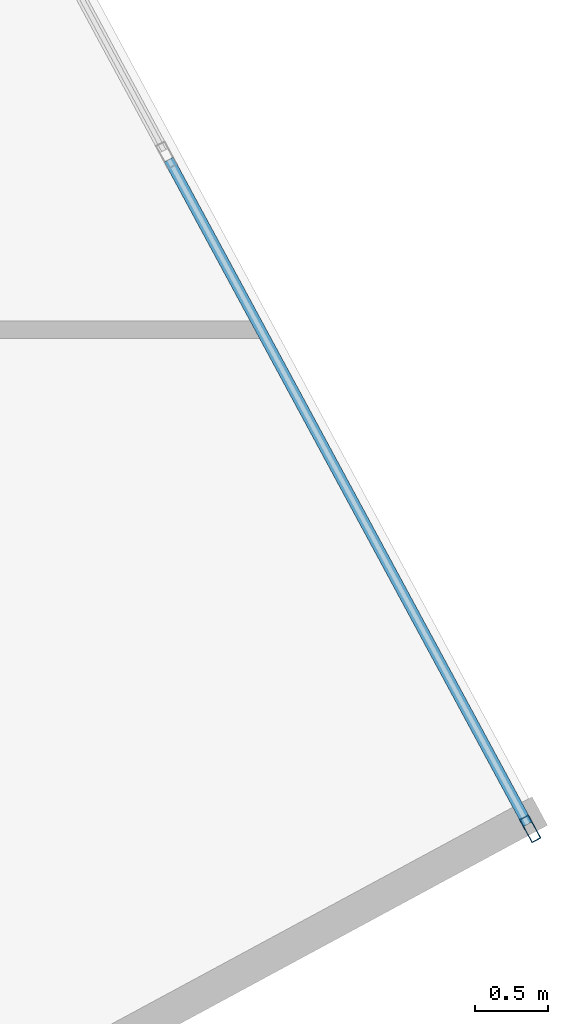
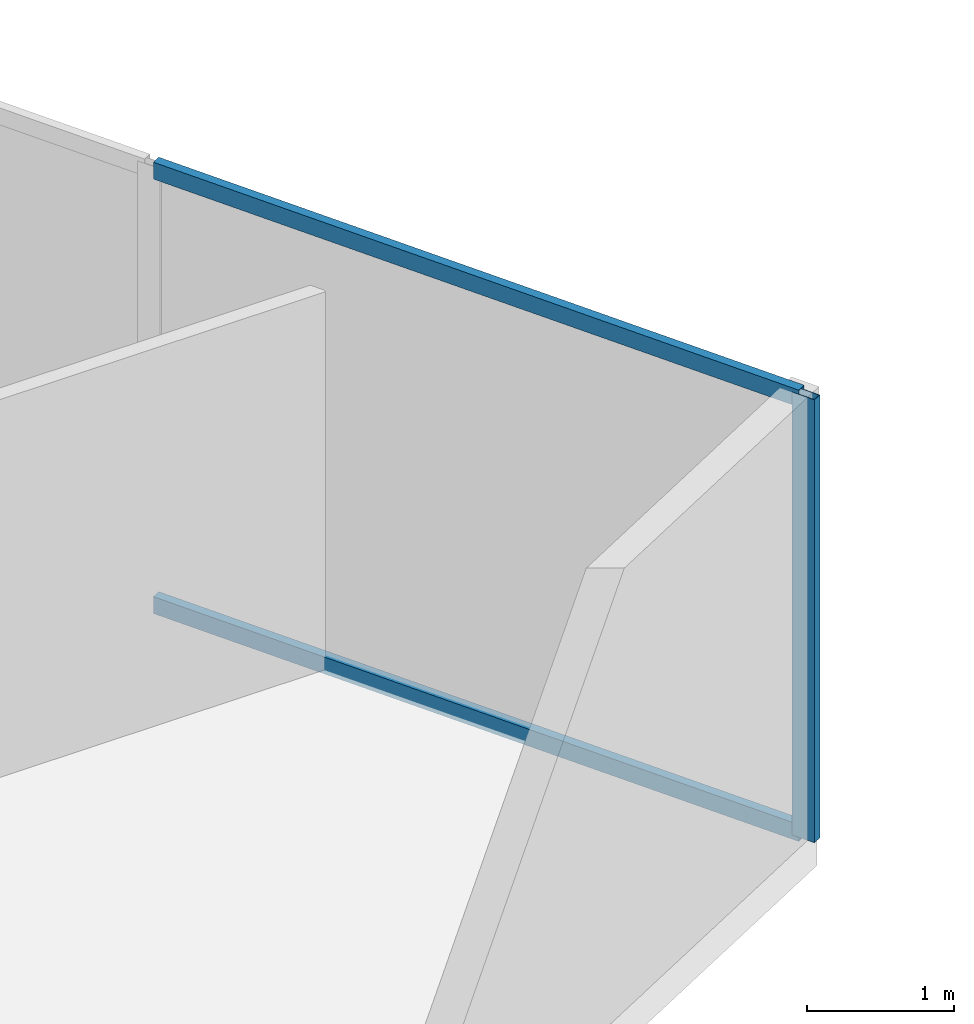
# One storey, part 10 of 22: 3 members, 1 element without a shape of its own.
"""IFC4 building model written with IfcOpenShell, lengths in metres."""

from ifc_helpers import new_model, si_unit, direction, frame, origin, origin_2d, place, context, subcontext, project, spatial, hollow_rectangle, extrude, source, transform, mapped, material, material_profile, profile_set, type_object, type_shapes, element, aggregate, save


model = new_model("IFC4")

# Units and contexts
model_context = context("Model", 3, precision=1e-05, world=origin(), true_north=direction((0.0, 1.0)))
body_context = subcontext(model_context, "Body", "Model", "MODEL_VIEW")
ifc_project = project(units=[si_unit("LENGTHUNIT", "METRE"), si_unit("AREAUNIT", "SQUARE_METRE"), si_unit("VOLUMEUNIT", "CUBIC_METRE"), si_unit("PLANEANGLEUNIT", "RADIAN"), si_unit("MASSUNIT", "GRAM", prefix="KILO")], contexts=[model_context])

# Site, building, storey
site_placement = place(None, origin())
site = spatial("IfcSite", under=ifc_project, at=site_placement, CompositionType="ELEMENT")
building_placement = place(site_placement, origin())
building = spatial("IfcBuilding", under=site, at=building_placement, Name="Krantzveldt Concourse Tower", CompositionType="ELEMENT")
storey_placement = place(building_placement, frame((0.0, 0.0, 306.89990234375)))
storey = spatial("IfcBuildingStorey", under=building, at=storey_placement, Name="L75", CompositionType="ELEMENT", Elevation=306.89990234375)

# Curtain wall, members
ifc_material = material(Name="Anodised aluminium 6063-T6", Category="aluminium")
curtain_wall_type = type_object("IfcCurtainWallType", Name="CW4", PredefinedType="USERDEFINED", material=ifc_material)
curtain_wall_placement = place(storey_placement, origin())
curtain_wall = element("IfcCurtainWall", 1, at=curtain_wall_placement, inside=storey, type_object=curtain_wall_type, Name="CW-L75-F10", ObjectType="UNITISED CURTAIN WALL", PredefinedType="USERDEFINED")
ifc_material_profile_1 = material_profile(ifc_material, hollow_rectangle(XDim=0.070068359375, YDim=0.179931640625, WallThickness=0.0048828125, at=origin_2d()), Name="Anodised aluminium 6063-T6", Category="aluminium")
ifc_profile_set_1 = profile_set([ifc_material_profile_1], Name="Anodised aluminium 6063-T6 - ALU-MULL 180x70x5")
member_type_1 = type_object("IfcMemberType", Name="CW-MUL-180", PredefinedType="MULLION", material=ifc_profile_set_1)
shared_shape_1 = source(origin(), body_context, "Body", "SweptSolid", [
    extrude(hollow_rectangle(XDim=0.070068359375, YDim=0.179931640625, WallThickness=0.0048828125, at=origin_2d()), origin(), (0.0, 0.0, 1.0), 3.670166015625),
])
type_shapes(member_type_1, [shared_shape_1])
member_1_placement = place(storey_placement, frame((59.9453125, 23.4208984375, 0.0), z_axis=(0.0, 0.0, 1.0), x_axis=(-0.879856202129, -0.475240006286, 0.0)))
member_1 = element("IfcMember", 2, at=member_1_placement, type_object=member_type_1, Name="CW-Z56 mullion 1", PredefinedType="MULLION", context=body_context, shape_type="MappedRepresentation", body=[
    mapped(shared_shape_1, transform((0.0, 0.0, 0.0), x_axis=(1.0, 0.0, 0.0), y_axis=(0.0, 1.0, 0.0), z_axis=(0.0, 0.0, 1.0), scale=1.0)),
])
ifc_material_profile_2 = material_profile(ifc_material, hollow_rectangle(XDim=0.070068359375, YDim=0.139892578125, WallThickness=0.0048828125, at=origin_2d()), Name="Anodised aluminium 6063-T6", Category="aluminium")
ifc_profile_set_2 = profile_set([ifc_material_profile_2], Name="Anodised aluminium 6063-T6 - ALU-TRAN 140x70x5")
member_type_2 = type_object("IfcMemberType", Name="CW-TRN-150", PredefinedType="USERDEFINED", material=ifc_profile_set_2)
shared_shape_2 = source(origin(), body_context, "Body", "SweptSolid", [
    extrude(hollow_rectangle(XDim=0.070068359375, YDim=0.139892578125, WallThickness=0.0048828125, at=origin_2d()), origin(), (0.0, 0.0, 1.0), 5.14501953125),
])
type_shapes(member_type_2, [shared_shape_2])
member_2_placement = place(storey_placement, frame((59.9287109375, 23.45166015625, 0.03515625), z_axis=(-0.475234147244, 0.87985936677, 0.0), x_axis=(-0.87985936677, -0.475234147244, 0.0)))
member_2 = element("IfcMember", 3, at=member_2_placement, type_object=member_type_2, Name="CW-Z56 transom 1.1", ObjectType="TRANSOM", PredefinedType="USERDEFINED", context=body_context, shape_type="MappedRepresentation", body=[
    mapped(shared_shape_2, transform((0.0, 0.0, 0.0), x_axis=(1.0, 0.0, 0.0), y_axis=(0.0, 1.0, 0.0), z_axis=(0.0, 0.0, 1.0), scale=1.0)),
])
member_3_placement = place(storey_placement, frame((59.9287109375, 23.45166015625, 3.635009765625), z_axis=(-0.475234147244, 0.87985936677, 0.0), x_axis=(-0.87985936677, -0.475234147244, 0.0)))
member_3 = element("IfcMember", 4, at=member_3_placement, type_object=member_type_2, Name="CW-Z56 transom 1.2", ObjectType="TRANSOM", PredefinedType="USERDEFINED", context=body_context, shape_type="MappedRepresentation", body=[
    mapped(shared_shape_2, transform((0.0, 0.0, 0.0), x_axis=(1.0, 0.0, 0.0), y_axis=(0.0, 1.0, 0.0), z_axis=(0.0, 0.0, 1.0), scale=1.0)),
])
aggregate(curtain_wall, [member_1, member_2, member_3])

save(model, "model.ifc")
